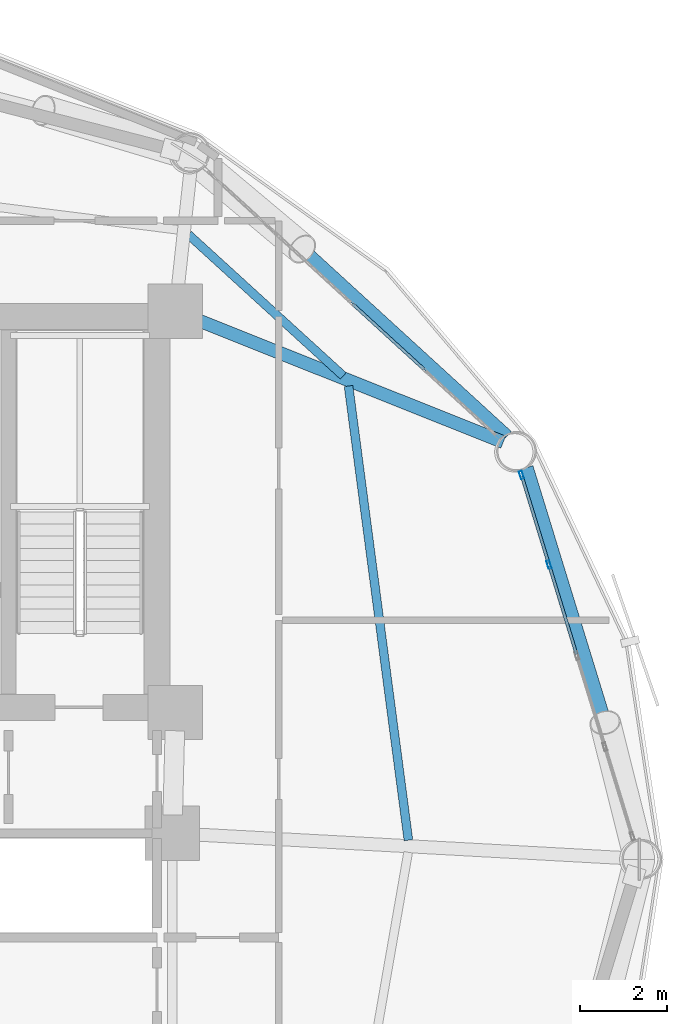
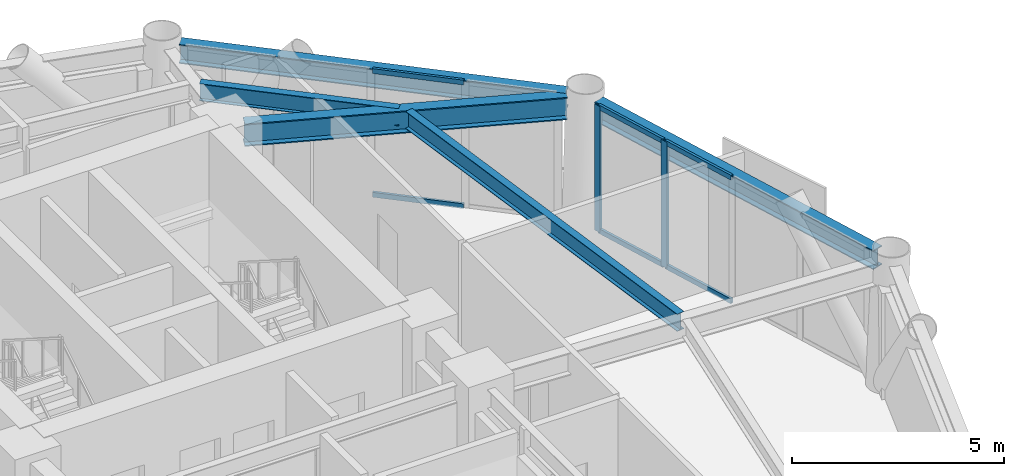
# One storey, part 16 of 25: 8 members, 5 beams, 2 elements without a shape of their own.
"""IFC4 building model written with IfcOpenShell, lengths in metres."""

from ifc_helpers import new_model, si_unit, direction, frame, origin, origin_2d, place, context, subcontext, project, spatial, hollow_rectangle, i_section, extrude, material, layer, layer_set, material_profile, profile_set, type_object, element, aggregate, save


model = new_model("IFC4")

# Units and contexts
model_context = context("Model", 3, precision=1e-05, world=origin(), true_north=direction((0.0, 1.0)))
body_context = subcontext(model_context, "Body", "Model", "MODEL_VIEW")
ifc_project = project(units=[si_unit("LENGTHUNIT", "METRE"), si_unit("AREAUNIT", "SQUARE_METRE"), si_unit("VOLUMEUNIT", "CUBIC_METRE"), si_unit("PLANEANGLEUNIT", "RADIAN"), si_unit("MASSUNIT", "GRAM", prefix="KILO")], contexts=[model_context])

# Site, building, storey
site_placement = place(None, origin())
site = spatial("IfcSite", under=ifc_project, at=site_placement, CompositionType="ELEMENT")
building_placement = place(site_placement, origin())
building = spatial("IfcBuilding", under=site, at=building_placement, Name="Varnakorn Sky Granary", CompositionType="ELEMENT")
storey_placement = place(building_placement, frame((0.0, 0.0, 39.300048828125)))
storey = spatial("IfcBuildingStorey", under=building, at=storey_placement, Name="L09", CompositionType="ELEMENT", Elevation=39.300048828125)

# Beams
ifc_material_1 = material(Name="Steel S355JR", Category="steel")
ifc_material_profile_1 = material_profile(ifc_material_1, i_section(OverallWidth=0.300048828125, OverallDepth=0.64990234375, WebThickness=0.01611328125, FlangeThickness=0.031005859375, at=origin_2d()), Name="HE 650 B")
ifc_profile_set_1 = profile_set([ifc_material_profile_1], Name="Steel S355JR")
beam_type_1 = type_object("IfcBeamType", Name="BM-RAD-Z1", PredefinedType="BEAM", material=ifc_profile_set_1)
beam_1_placement = place(storey_placement, frame((8.81005859375, 12.46435546875, 3.31494140625), z_axis=(0.928729810885, -0.370757249927, 0.0), x_axis=(0.370757249927, 0.928729810885, 0.0)))
element("IfcBeam", 1, at=beam_1_placement, inside=storey, type_object=beam_type_1, Name="Radial Floor Girder RG02 L09", PredefinedType="BEAM", context=body_context, shape_type="SweptSolid", body=[
    extrude(i_section(OverallWidth=0.300048828125, OverallDepth=0.64990234375, WebThickness=0.01611328125, FlangeThickness=0.031005859375, at=origin_2d()), origin(), (0.0, 0.0, 1.0), 7.709716796875),
])
ifc_material_profile_2 = material_profile(ifc_material_1, i_section(OverallWidth=0.199951171875, OverallDepth=0.5, WebThickness=0.01025390625, FlangeThickness=0.01611328125, at=origin_2d()), Name="IPE 500")
ifc_profile_set_2 = profile_set([ifc_material_profile_2], Name="Steel S355JR")
beam_type_2 = type_object("IfcBeamType", Name="BM-SEC-Z1", PredefinedType="BEAM", material=ifc_profile_set_2)
beam_2_placement = place(storey_placement, frame((13.786865234375, 0.439453125, 3.389892578125), z_axis=(-0.130689826957, 0.991423304714, 0.0), x_axis=(-0.991423304714, -0.130689826957, 0.0)))
element("IfcBeam", 2, at=beam_2_placement, inside=storey, type_object=beam_type_2, Name="Secondary Floor Chord Beam MSB01 L09", PredefinedType="BEAM", context=body_context, shape_type="SweptSolid", body=[
    extrude(i_section(OverallWidth=0.199951171875, OverallDepth=0.5, WebThickness=0.01025390625, FlangeThickness=0.01611328125, at=origin_2d()), origin(), (0.0, 0.0, 1.0), 10.54736328125),
])
beam_3_placement = place(storey_placement, frame((12.286865234375, 11.12939453125, 3.389892578125), z_axis=(-0.738585190457, 0.674160156371, 0.0), x_axis=(-0.674160156371, -0.738585190457, 0.0)))
element("IfcBeam", 3, at=beam_3_placement, inside=storey, type_object=beam_type_2, Name="Secondary Floor Chord Beam MSB02 L09", PredefinedType="BEAM", context=body_context, shape_type="SweptSolid", body=[
    extrude(i_section(OverallWidth=0.199951171875, OverallDepth=0.5, WebThickness=0.01025390625, FlangeThickness=0.01611328125, at=origin_2d()), origin(), (0.0, 0.0, 1.0), 4.823974609375),
])
ifc_material_profile_3 = material_profile(ifc_material_1, i_section(OverallWidth=0.300048828125, OverallDepth=0.550048828125, WebThickness=0.014892578125, FlangeThickness=0.029052734375, at=origin_2d()), Name="HE 550 B")
ifc_profile_set_3 = profile_set([ifc_material_profile_3], Name="Steel S355JR")
beam_type_3 = type_object("IfcBeamType", Name="BM-SPD-Z1", PredefinedType="SPANDREL", material=ifc_profile_set_3)
beam_4_placement = place(storey_placement, frame((19.152099609375, 0.422607421875, 3.364990234375), z_axis=(-0.293719576527, 0.955891631078, 0.0), x_axis=(-0.955891631078, -0.293719576527, 0.0)))
element("IfcBeam", 4, at=beam_4_placement, inside=storey, type_object=beam_type_3, Name="Perimeter Spandrel Ring Beam RB01 L09", PredefinedType="SPANDREL", context=body_context, shape_type="SweptSolid", body=[
    extrude(i_section(OverallWidth=0.300048828125, OverallDepth=0.550048828125, WebThickness=0.014892578125, FlangeThickness=0.029052734375, at=origin_2d()), origin(), (0.0, 0.0, 1.0), 8.99365234375),
])
beam_5_placement = place(storey_placement, frame((16.0546875, 9.740234375, 3.364990234375), z_axis=(-0.737908523278, 0.674900741794, 0.0), x_axis=(-0.674900741794, -0.737908523278, 0.0)))
element("IfcBeam", 5, at=beam_5_placement, inside=storey, type_object=beam_type_3, Name="Perimeter Spandrel Ring Beam RB02 L09", PredefinedType="SPANDREL", context=body_context, shape_type="SweptSolid", body=[
    extrude(i_section(OverallWidth=0.300048828125, OverallDepth=0.550048828125, WebThickness=0.014892578125, FlangeThickness=0.029052734375, at=origin_2d()), origin(), (0.0, 0.0, 1.0), 9.357666015625),
])

# Curtain wall, members
ifc_material_2 = material(Name="Anodised Bronze Aluminium Alloy 6063-T6", Category="aluminium")
ifc_layer = layer(ifc_material_2, 0.18994140625, Name="Anodised Bronze Aluminium Alloy 6063-T6")
ifc_layer_set = layer_set([ifc_layer], Name="Anodised Bronze Aluminium Alloy 6063-T6")
curtain_wall_type = type_object("IfcCurtainWallType", Name="CW-FRM-1", PredefinedType="USERDEFINED", material=ifc_layer_set)
curtain_wall_1_placement = place(storey_placement, origin())
curtain_wall_1 = element("IfcCurtainWall", 6, at=curtain_wall_1_placement, inside=storey, type_object=curtain_wall_type, Name="Unitised Curtain Wall CW3 CW-L09-B01", ObjectType="CURTAIN WALL", PredefinedType="USERDEFINED")
ifc_material_profile_4 = material_profile(ifc_material_2, hollow_rectangle(XDim=0.070068359375, YDim=0.18505859375, WallThickness=0.00390625, at=origin_2d()), Name="ALU MULL 70x185")
ifc_profile_set_4 = profile_set([ifc_material_profile_4], Name="Anodised Bronze Aluminium Alloy 6063-T6")
member_type_1 = type_object("IfcMemberType", Name="CW-FRM-1-MULL", PredefinedType="MULLION", material=ifc_profile_set_4)
member_1_placement = place(storey_placement, frame((16.390380859375, 8.846435546875, 0.0), z_axis=(0.0, 0.0, 1.0), x_axis=(0.955970574446, 0.293462537291, 0.0)))
member_1 = element("IfcMember", 7, at=member_1_placement, type_object=member_type_1, Name="CW3 mullion 1", PredefinedType="MULLION", context=body_context, shape_type="SweptSolid", body=[
    extrude(hollow_rectangle(XDim=0.070068359375, YDim=0.18505859375, WallThickness=0.00390625, at=origin_2d()), origin(), (0.0, 0.0, 1.0), 3.639892578125),
])
member_2_placement = place(storey_placement, frame((17.023681640625, 6.783447265625, 0.0), z_axis=(0.0, 0.0, 1.0), x_axis=(0.955970574446, 0.293462537291, 0.0)))
member_2 = element("IfcMember", 8, at=member_2_placement, type_object=member_type_1, Name="CW3 mullion 2", PredefinedType="MULLION", context=body_context, shape_type="SweptSolid", body=[
    extrude(hollow_rectangle(XDim=0.070068359375, YDim=0.18505859375, WallThickness=0.00390625, at=origin_2d()), origin(), (0.0, 0.0, 1.0), 3.639892578125),
])
ifc_material_profile_5 = material_profile(ifc_material_2, hollow_rectangle(XDim=0.070068359375, YDim=0.139892578125, WallThickness=0.00341796875, at=origin_2d()), Name="ALU TRAN 70x140")
ifc_profile_set_5 = profile_set([ifc_material_profile_5], Name="Anodised Bronze Aluminium Alloy 6063-T6")
member_type_2 = type_object("IfcMemberType", Name="CW-FRM-1-TRAN", PredefinedType="USERDEFINED", material=ifc_profile_set_5)
member_3_placement = place(storey_placement, frame((16.400634765625, 8.81298828125, 0.034912109375), z_axis=(0.293477787544, -0.955965892811, 0.0), x_axis=(0.955965892811, 0.293477787544, 0.0)))
member_3 = element("IfcMember", 9, at=member_3_placement, type_object=member_type_2, Name="CW3 transom 1.1", ObjectType="TRANSOM", PredefinedType="USERDEFINED", context=body_context, shape_type="SweptSolid", body=[
    extrude(hollow_rectangle(XDim=0.070068359375, YDim=0.139892578125, WallThickness=0.00341796875, at=origin_2d()), origin(), (0.0, 0.0, 1.0), 2.088134765625),
])
member_4_placement = place(storey_placement, frame((16.400634765625, 8.81298828125, 3.60498046875), z_axis=(0.293477787544, -0.955965892811, 0.0), x_axis=(0.955965892811, 0.293477787544, 0.0)))
member_4 = element("IfcMember", 10, at=member_4_placement, type_object=member_type_2, Name="CW3 transom 1.2", ObjectType="TRANSOM", PredefinedType="USERDEFINED", context=body_context, shape_type="SweptSolid", body=[
    extrude(hollow_rectangle(XDim=0.070068359375, YDim=0.139892578125, WallThickness=0.00341796875, at=origin_2d()), origin(), (0.0, 0.0, 1.0), 2.088134765625),
])
member_5_placement = place(storey_placement, frame((17.033935546875, 6.75, 0.034912109375), z_axis=(0.293471643452, -0.955967779002, 0.0), x_axis=(0.955967779002, 0.293471643452, 0.0)))
member_5 = element("IfcMember", 11, at=member_5_placement, type_object=member_type_2, Name="CW3 transom 2.1", ObjectType="TRANSOM", PredefinedType="USERDEFINED", context=body_context, shape_type="SweptSolid", body=[
    extrude(hollow_rectangle(XDim=0.070068359375, YDim=0.139892578125, WallThickness=0.00341796875, at=origin_2d()), origin(), (0.0, 0.0, 1.0), 2.123046875),
])
member_6_placement = place(storey_placement, frame((17.033935546875, 6.75, 3.60498046875), z_axis=(0.293471643452, -0.955967779002, 0.0), x_axis=(0.955967779002, 0.293471643452, 0.0)))
member_6 = element("IfcMember", 12, at=member_6_placement, type_object=member_type_2, Name="CW3 transom 2.2", ObjectType="TRANSOM", PredefinedType="USERDEFINED", context=body_context, shape_type="SweptSolid", body=[
    extrude(hollow_rectangle(XDim=0.070068359375, YDim=0.139892578125, WallThickness=0.00341796875, at=origin_2d()), origin(), (0.0, 0.0, 1.0), 2.123046875),
])
aggregate(curtain_wall_1, [member_1, member_2, member_3, member_4, member_5, member_6])

curtain_wall_2_placement = place(storey_placement, origin())
curtain_wall_2 = element("IfcCurtainWall", 13, at=curtain_wall_2_placement, inside=storey, type_object=curtain_wall_type, Name="Unitised Curtain Wall CW3 CW-L09-B02", ObjectType="CURTAIN WALL", PredefinedType="USERDEFINED")
member_7_placement = place(storey_placement, frame((12.5078125, 12.781494140625, 0.034912109375), z_axis=(0.737447350023, -0.675404623869, 0.0), x_axis=(0.675404623869, 0.737447350023, 0.0)))
member_7 = element("IfcMember", 14, at=member_7_placement, type_object=member_type_2, Name="CW3 transom 3.1", ObjectType="TRANSOM", PredefinedType="USERDEFINED", context=body_context, shape_type="SweptSolid", body=[
    extrude(hollow_rectangle(XDim=0.070068359375, YDim=0.139892578125, WallThickness=0.00341796875, at=origin_2d()), origin(), (0.0, 0.0, 1.0), 2.21142578125),
])
member_8_placement = place(storey_placement, frame((12.5078125, 12.781494140625, 3.60498046875), z_axis=(0.737447350023, -0.675404623869, 0.0), x_axis=(0.675404623869, 0.737447350023, 0.0)))
member_8 = element("IfcMember", 15, at=member_8_placement, type_object=member_type_2, Name="CW3 transom 3.2", ObjectType="TRANSOM", PredefinedType="USERDEFINED", context=body_context, shape_type="SweptSolid", body=[
    extrude(hollow_rectangle(XDim=0.070068359375, YDim=0.139892578125, WallThickness=0.00341796875, at=origin_2d()), origin(), (0.0, 0.0, 1.0), 2.21142578125),
])
aggregate(curtain_wall_2, [member_7, member_8])

save(model, "model.ifc")
